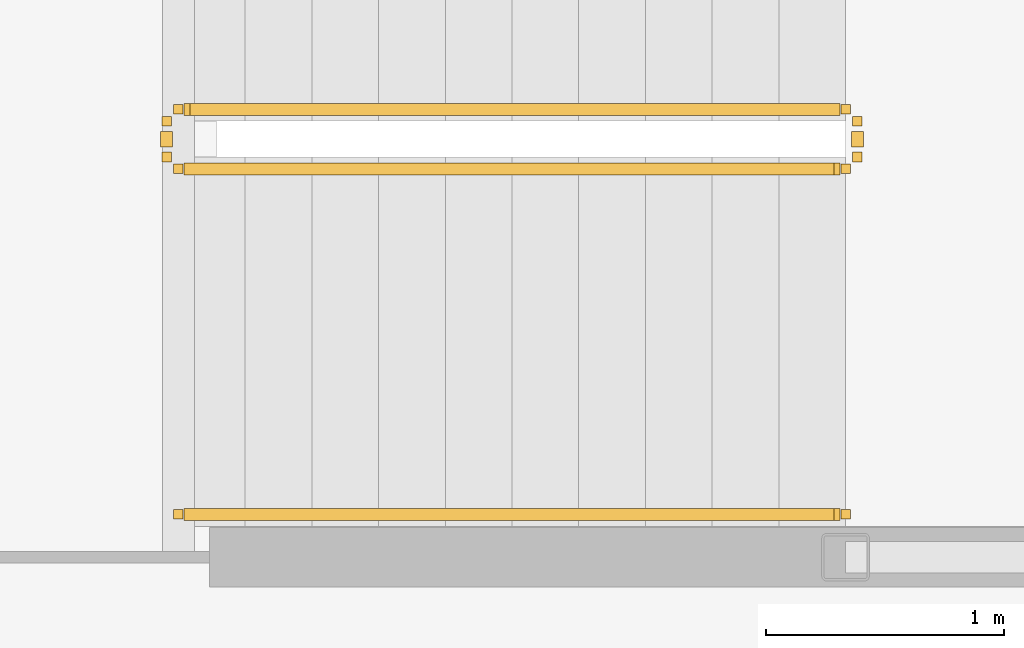
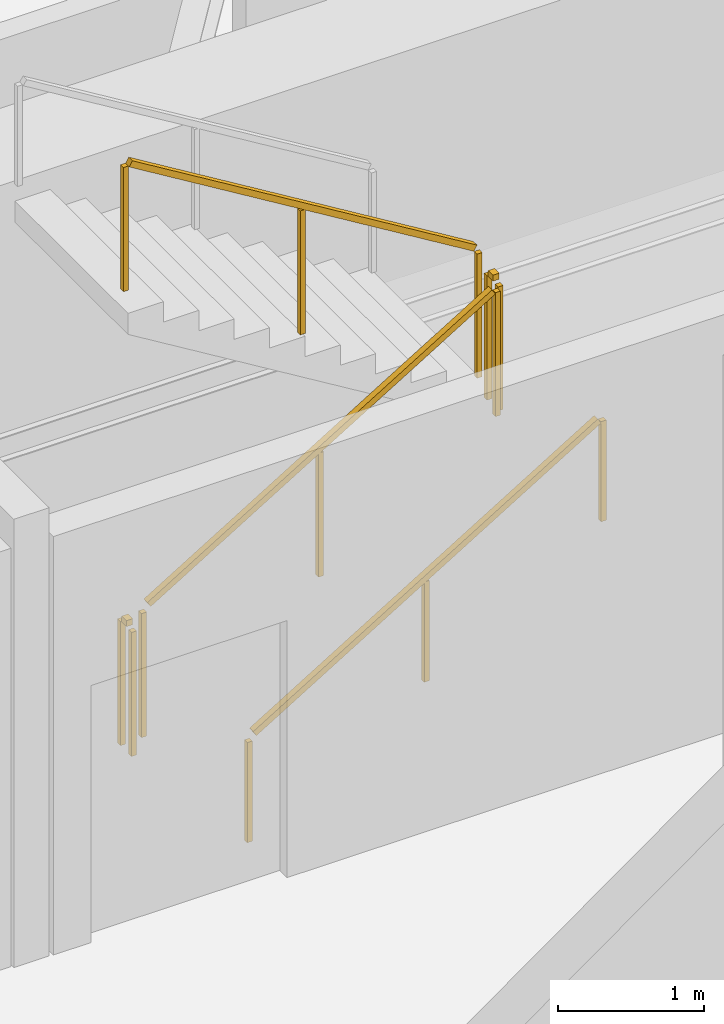
# One storey, part 19 of 20: 5 railings.
"""IFC4 building model written with IfcOpenShell, lengths in metres."""

from ifc_helpers import new_model, si_unit, direction, frame, origin, origin_2d, place, context, subcontext, project, spatial, rectangle, extrude, material, type_object, element, save


model = new_model("IFC4")

# Units and contexts
model_context = context("Model", 3, precision=1e-05, world=origin(), true_north=direction((0.0, 1.0)))
body_context = subcontext(model_context, "Body", "Model", "MODEL_VIEW")
ifc_project = project(units=[si_unit("LENGTHUNIT", "METRE"), si_unit("AREAUNIT", "SQUARE_METRE"), si_unit("VOLUMEUNIT", "CUBIC_METRE"), si_unit("PLANEANGLEUNIT", "RADIAN"), si_unit("MASSUNIT", "GRAM", prefix="KILO")], contexts=[model_context])

# Site, building, storey
site_placement = place(None, origin())
site = spatial("IfcSite", under=ifc_project, at=site_placement, CompositionType="ELEMENT")
building_placement = place(site_placement, origin())
building = spatial("IfcBuilding", under=site, at=building_placement, Name="Kazma Halo Residences", CompositionType="ELEMENT")
storey_placement = place(building_placement, frame((0.0, 0.0, 169.050048828125)))
storey = spatial("IfcBuildingStorey", under=building, at=storey_placement, Name="L42", CompositionType="ELEMENT", Elevation=169.050048828125)

# Railings
ifc_material_1 = material(Name="Painted Steel S355", Category="steel")
railing_type_1 = type_object("IfcRailingType", Name="RLG-STAIR-GRD-1100", PredefinedType="GUARDRAIL", material=ifc_material_1)
railing_1_placement = place(storey_placement, frame((53.199951171875, 48.25, 0.17041015625)))
element("IfcRailing", 1, at=railing_1_placement, inside=storey, type_object=railing_type_1, Name="L42 ST-02 stair guard 1", PredefinedType="GUARDRAIL", context=body_context, shape_type="SweptSolid", body=[
    extrude(rectangle(XDim=0.050048828125, YDim=0.050048828125, at=origin_2d()), frame((0.036376953125, 0.0, 1.09716796875), z_axis=(0.854169791009, 0.0, 0.51999420009), x_axis=(0.0, 1.0, 0.0)), (0.0, 0.0, 1.0), 3.193115234375),
    extrude(rectangle(XDim=0.0400390625, YDim=0.0400390625, at=origin_2d()), origin(), (0.0, 0.0, 1.0), 1.0380859375),
    extrude(rectangle(XDim=0.0400390625, YDim=0.0400390625, at=origin_2d()), frame((1.39990234375, 0.0, 0.852294921875)), (0.0, 0.0, 1.0), 1.0380859375),
    extrude(rectangle(XDim=0.0400390625, YDim=0.0400390625, at=origin_2d()), frame((2.800048828125, 0.0, 1.70458984375)), (0.0, 0.0, 1.0), 1.0380859375),
])
railing_2_placement = place(storey_placement, frame((56.050048828125, 48.300048828125, 1.875)))
element("IfcRailing", 2, at=railing_2_placement, inside=storey, type_object=railing_type_1, Name="L42 ST-02 stair guard 2", PredefinedType="GUARDRAIL", context=body_context, shape_type="SweptSolid", body=[
    extrude(rectangle(XDim=0.050048828125, YDim=0.050048828125, at=origin_2d()), frame((0.0, 0.04248046875, 1.0751953125), z_axis=(0.0, 1.0, 0.0), x_axis=(-1.0, 0.0, 0.0)), (0.0, 0.0, 1.0), 0.06494140625),
    extrude(rectangle(XDim=0.0400390625, YDim=0.0400390625, at=origin_2d()), origin(), (0.0, 0.0, 1.0), 1.0380859375),
    extrude(rectangle(XDim=0.0400390625, YDim=0.0400390625, at=origin_2d()), frame((0.0, 0.14990234375, 0.0)), (0.0, 0.0, 1.0), 1.0380859375),
])
railing_3_placement = place(storey_placement, frame((56.0, 48.5, 2.04541015625)))
element("IfcRailing", 3, at=railing_3_placement, inside=storey, type_object=railing_type_1, Name="L42 ST-02 stair guard 3", PredefinedType="GUARDRAIL", context=body_context, shape_type="SweptSolid", body=[
    extrude(rectangle(XDim=0.050048828125, YDim=0.050048828125, at=origin_2d()), frame((-0.036376953125, 0.0, 1.09716796875), z_axis=(-0.854169791009, 0.0, 0.51999420009), x_axis=(0.0, -1.0, 0.0)), (0.0, 0.0, 1.0), 3.193115234375),
    extrude(rectangle(XDim=0.0400390625, YDim=0.0400390625, at=origin_2d()), origin(), (0.0, 0.0, 1.0), 1.0380859375),
    extrude(rectangle(XDim=0.0400390625, YDim=0.0400390625, at=origin_2d()), frame((-1.39990234375, 0.0, 0.852294921875)), (0.0, 0.0, 1.0), 1.0380859375),
    extrude(rectangle(XDim=0.0400390625, YDim=0.0400390625, at=origin_2d()), frame((-2.800048828125, 0.0, 1.70458984375)), (0.0, 0.0, 1.0), 1.0380859375),
])
railing_4_placement = place(storey_placement, frame((53.14990234375, 48.300048828125, 0.0)))
element("IfcRailing", 4, at=railing_4_placement, inside=storey, type_object=railing_type_1, Name="L42 ST-02 stair guard 4", PredefinedType="GUARDRAIL", context=body_context, shape_type="SweptSolid", body=[
    extrude(rectangle(XDim=0.050048828125, YDim=0.050048828125, at=origin_2d()), frame((0.0, 0.04248046875, 1.0751953125), z_axis=(0.0, 1.0, 0.0), x_axis=(-1.0, 0.0, 0.0)), (0.0, 0.0, 1.0), 0.06494140625),
    extrude(rectangle(XDim=0.0400390625, YDim=0.0400390625, at=origin_2d()), origin(), (0.0, 0.0, 1.0), 1.0380859375),
    extrude(rectangle(XDim=0.0400390625, YDim=0.0400390625, at=origin_2d()), frame((0.0, 0.14990234375, 0.0)), (0.0, 0.0, 1.0), 1.0380859375),
])
ifc_material_2 = material(Name="Brushed Stainless Steel", Category="steel")
railing_type_2 = type_object("IfcRailingType", Name="RLG-STAIR-HND-900", PredefinedType="HANDRAIL", material=ifc_material_2)
railing_5_placement = place(storey_placement, frame((53.199951171875, 46.800048828125, 0.17041015625)))
element("IfcRailing", 5, at=railing_5_placement, inside=storey, type_object=railing_type_2, Name="L42 ST-02 stair handrail 1", PredefinedType="HANDRAIL", context=body_context, shape_type="SweptSolid", body=[
    extrude(rectangle(XDim=0.050048828125, YDim=0.050048828125, at=origin_2d()), frame((0.036376953125, 0.0, 0.89697265625), z_axis=(0.854169791009, 0.0, 0.51999420009), x_axis=(0.0, 1.0, 0.0)), (0.0, 0.0, 1.0), 3.193115234375),
    extrude(rectangle(XDim=0.0400390625, YDim=0.0400390625, at=origin_2d()), origin(), (0.0, 0.0, 1.0), 0.837890625),
    extrude(rectangle(XDim=0.0400390625, YDim=0.0400390625, at=origin_2d()), frame((1.39990234375, 0.0, 0.852294921875)), (0.0, 0.0, 1.0), 0.837890625),
    extrude(rectangle(XDim=0.0400390625, YDim=0.0400390625, at=origin_2d()), frame((2.800048828125, 0.0, 1.70458984375)), (0.0, 0.0, 1.0), 0.837890625),
])

save(model, "model.ifc")
